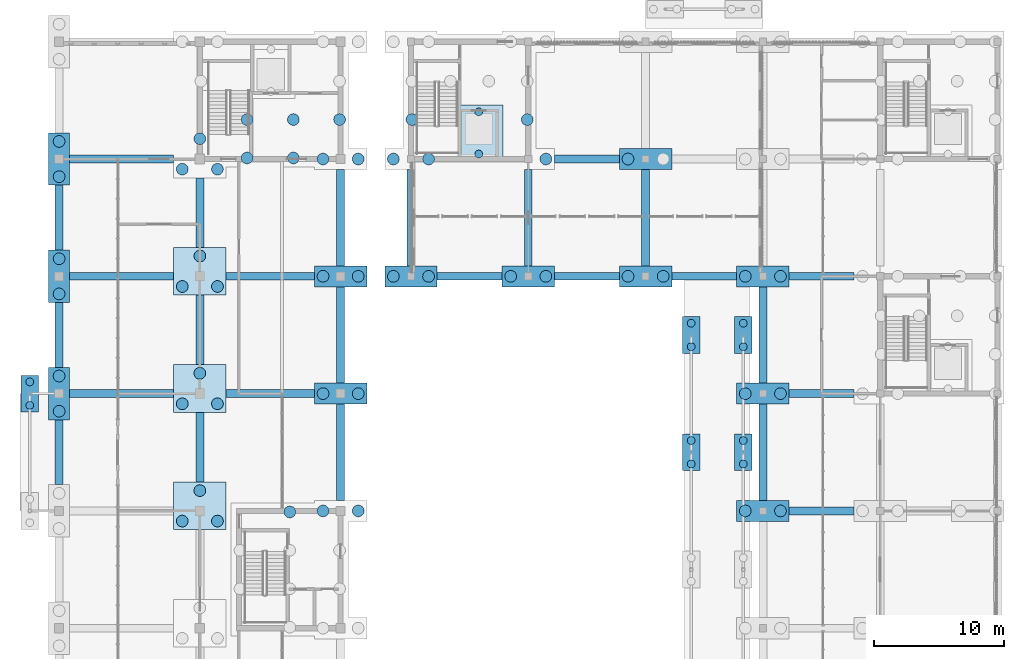
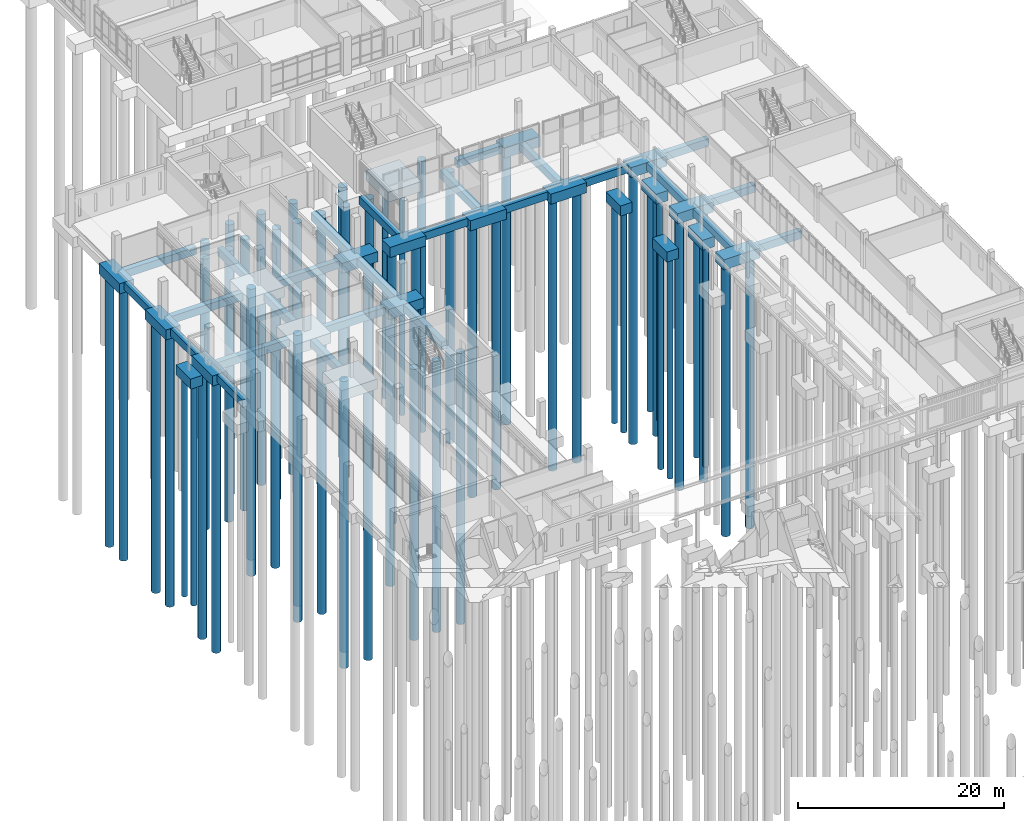
# One storey, part 5 of 106: 62 piles, 47 footings.
"""IFC4 building model written with IfcOpenShell, lengths in metres."""

from ifc_helpers import new_model, si_unit, direction, frame, origin, origin_2d, place, context, subcontext, project, spatial, polyline, circle, outline, extrude, material, material_profile, profile_set, type_object, element, save


model = new_model("IFC4")

# Units and contexts
model_context = context("Model", 3, precision=1e-05, world=origin(), true_north=direction((0.0, 1.0)))
body_context = subcontext(model_context, "Body", "Model", "MODEL_VIEW")
ifc_project = project(units=[si_unit("LENGTHUNIT", "METRE"), si_unit("AREAUNIT", "SQUARE_METRE"), si_unit("VOLUMEUNIT", "CUBIC_METRE"), si_unit("PLANEANGLEUNIT", "RADIAN"), si_unit("MASSUNIT", "GRAM", prefix="KILO")], contexts=[model_context])

# Site, building, storey
site_placement = place(None, origin())
site = spatial("IfcSite", under=ifc_project, at=site_placement, CompositionType="ELEMENT")
building_placement = place(site_placement, origin())
building = spatial("IfcBuilding", under=site, at=building_placement, Name="Merrow Basin Faculty of Sciences", CompositionType="ELEMENT")
storey_placement = place(building_placement, origin())
storey = spatial("IfcBuildingStorey", under=building, at=storey_placement, Name="L00", CompositionType="ELEMENT", Elevation=0.0)

# Piles
ifc_material_1 = material(Name="Concrete C40/50", Category="concrete")
ifc_material_profile_1 = material_profile(ifc_material_1, circle(Radius=0.300048828125, at=origin_2d()))
ifc_profile_set_1 = profile_set([ifc_material_profile_1], Name="Concrete C40/50")
pile_type_1 = type_object("IfcPileType", Name="Bored pile 600 Concrete C40/50", PredefinedType="BORED", material=ifc_profile_set_1)
for number, where, z_axis, x_axis, name in (
    (1, (-2.25, 105.10009765625, -1.39990234375), (0.0, 0.0, -1.0), (1.0, 0.0, 0.0), "BP 005"),
    (2, (-2.25, 106.89990234375, -1.39990234375), (0.0, 0.0, -1.0), (1.0, 0.0, 0.0), "BP 006"),
    (3, (48.5, 100.60009765625, -1.39990234375), (0.0, 0.0, -1.0), (1.0, 0.0, 0.0), "BP 371"),
    (4, (48.5, 102.39990234375, -1.39990234375), (0.0, 0.0, -1.0), (1.0, 0.0, 0.0), "BP 372"),
    (5, (48.5, 109.60009765625, -1.39990234375), (0.0, 0.0, -1.0), (1.0, 0.0, 0.0), "BP 373"),
    (6, (48.5, 111.39990234375, -1.39990234375), (0.0, 0.0, -1.0), (1.0, 0.0, 0.0), "BP 374"),
    (7, (52.5, 100.60009765625, -1.39990234375), (0.0, 0.0, -1.0), (1.0, 0.0, 0.0), "BP 395"),
    (8, (52.5, 102.39990234375, -1.39990234375), (0.0, 0.0, -1.0), (1.0, 0.0, 0.0), "BP 396"),
    (9, (52.5, 109.60009765625, -1.39990234375), (0.0, 0.0, -1.0), (1.0, 0.0, 0.0), "BP 397"),
    (10, (52.5, 111.39990234375, -1.39990234375), (0.0, 0.0, -1.0), (1.0, 0.0, 0.0), "BP 398"),
    (11, (32.199951171875, 124.3798828125, -2.60009765625), (0.0, 0.0, -1.0), (1.0, 0.0, 0.0), "BP pit 524"),
    (12, (32.199951171875, 127.6201171875, -2.60009765625), (0.0, 0.0, -1.0), (1.0, 0.0, 0.0), "BP pit 525"),
):
    element("IfcPile", number, at=place(storey_placement, frame(where, z_axis=z_axis, x_axis=x_axis)), inside=storey, type_object=pile_type_1, Name=name, PredefinedType="BORED", context=body_context, shape_type="SweptSolid", body=[
        extrude(circle(Radius=0.300048828125, at=origin_2d()), origin(), (0.0, 0.0, 1.0), 26.10009765625),
    ])
ifc_material_2 = material(Name="Concrete C40/50", Category="concrete")
ifc_material_profile_2 = material_profile(ifc_material_2, circle(Radius=0.449951171875, at=origin_2d()))
ifc_profile_set_2 = profile_set([ifc_material_profile_2], Name="Concrete C40/50")
pile_type_2 = type_object("IfcPileType", Name="Bored pile 900 Concrete C40/50", PredefinedType="BORED", material=ifc_profile_set_2)
for number, where, z_axis, x_axis, name in (
    (13, (0.0, 104.64990234375, -1.39990234375), (0.0, 0.0, -1.0), (1.0, 0.0, 0.0), "BP 033"),
    (14, (0.0, 107.35009765625, -1.39990234375), (0.0, 0.0, -1.0), (1.0, 0.0, 0.0), "BP 034"),
    (15, (0.0, 113.64990234375, -1.39990234375), (0.0, 0.0, -1.0), (1.0, 0.0, 0.0), "BP 035"),
    (16, (0.0, 116.35009765625, -1.39990234375), (0.0, 0.0, -1.0), (1.0, 0.0, 0.0), "BP 036"),
    (17, (0.0, 122.64990234375, -1.39990234375), (0.0, 0.0, -1.0), (1.0, 0.0, 0.0), "BP 037"),
    (18, (0.0, 125.35009765625, -1.39990234375), (0.0, 0.0, -1.0), (1.0, 0.0, 0.0), "BP 038"),
    (19, (9.449951171875, 96.220947265625, -1.39990234375), (0.0, 0.0, -1.0), (1.0, 0.0, 0.0), "BP 088"),
    (20, (9.449951171875, 105.220947265625, -1.39990234375), (0.0, 0.0, -1.0), (1.0, 0.0, 0.0), "BP 089"),
    (21, (9.449951171875, 114.220947265625, -1.39990234375), (0.0, 0.0, -1.0), (1.0, 0.0, 0.0), "BP 090"),
    (22, (9.449951171875, 123.220947265625, -1.39990234375), (0.0, 0.0, -1.0), (1.0, 0.0, 0.0), "BP 091"),
    (23, (10.800048828125, 98.55908203125, -1.39990234375), (0.0, 0.0, -1.0), (1.0, 0.0, 0.0), "BP 105"),
    (24, (10.800048828125, 107.55908203125, -1.39990234375), (0.0, 0.0, -1.0), (1.0, 0.0, 0.0), "BP 106"),
    (25, (10.800048828125, 116.55908203125, -1.39990234375), (0.0, 0.0, -1.0), (1.0, 0.0, 0.0), "BP 107"),
    (26, (10.800048828125, 125.55908203125, -1.39990234375), (0.0, 0.0, -1.0), (1.0, 0.0, 0.0), "BP 108"),
    (27, (12.14990234375, 96.220947265625, -1.39990234375), (0.0, 0.0, -1.0), (1.0, 0.0, 0.0), "BP 114"),
    (28, (12.14990234375, 105.220947265625, -1.39990234375), (0.0, 0.0, -1.0), (1.0, 0.0, 0.0), "BP 115"),
    (29, (12.14990234375, 114.220947265625, -1.39990234375), (0.0, 0.0, -1.0), (1.0, 0.0, 0.0), "BP 116"),
    (30, (12.14990234375, 123.220947265625, -1.39990234375), (0.0, 0.0, -1.0), (1.0, 0.0, 0.0), "BP 117"),
    (31, (14.427001953125, 124.080078125, -1.39990234375), (0.0, 0.0, -1.0), (1.0, 0.0, 0.0), "BP 128"),
    (32, (14.427001953125, 127.027099609375, -1.39990234375), (0.0, 0.0, -1.0), (1.0, 0.0, 0.0), "BP 129"),
    (33, (17.699951171875, 96.919921875, -1.39990234375), (0.0, 0.0, -1.0), (1.0, 0.0, 0.0), "BP 154"),
    (34, (17.972900390625, 124.080078125, -1.39990234375), (0.0, 0.0, -1.0), (1.0, 0.0, 0.0), "BP 155"),
    (35, (17.972900390625, 127.027099609375, -1.39990234375), (0.0, 0.0, -1.0), (1.0, 0.0, 0.0), "BP 156"),
    (36, (20.25, 97.0, -1.39990234375), (0.0, 0.0, -1.0), (1.0, 0.0, 0.0), "BP 178"),
    (37, (20.25, 106.0, -1.39990234375), (0.0, 0.0, -1.0), (1.0, 0.0, 0.0), "BP 179"),
    (38, (20.25, 115.0, -1.39990234375), (0.0, 0.0, -1.0), (1.0, 0.0, 0.0), "BP 180"),
    (39, (20.25, 124.0, -1.39990234375), (0.0, 0.0, -1.0), (1.0, 0.0, 0.0), "BP 181"),
    (40, (21.52001953125, 127.027099609375, -1.39990234375), (0.0, 0.0, -1.0), (1.0, 0.0, 0.0), "BP 189"),
    (41, (22.949951171875, 97.0, -1.39990234375), (0.0, 0.0, -1.0), (1.0, 0.0, 0.0), "BP 203"),
    (42, (22.949951171875, 106.0, -1.39990234375), (0.0, 0.0, -1.0), (1.0, 0.0, 0.0), "BP 204"),
    (43, (22.949951171875, 115.0, -1.39990234375), (0.0, 0.0, -1.0), (1.0, 0.0, 0.0), "BP 205"),
    (44, (22.949951171875, 124.0, -1.39990234375), (0.0, 0.0, -1.0), (1.0, 0.0, 0.0), "BP 206"),
    (45, (25.64990234375, 115.0, -1.39990234375), (0.0, 0.0, -1.0), (1.0, 0.0, 0.0), "BP 219"),
    (46, (25.64990234375, 124.0, -1.39990234375), (0.0, 0.0, -1.0), (1.0, 0.0, 0.0), "BP 220"),
    (47, (27.080078125, 127.027099609375, -1.39990234375), (0.0, 0.0, -1.0), (1.0, 0.0, 0.0), "BP 231"),
    (48, (28.35009765625, 115.0, -1.39990234375), (0.0, 0.0, -1.0), (1.0, 0.0, 0.0), "BP 242"),
    (49, (28.35009765625, 124.0, -1.39990234375), (0.0, 0.0, -1.0), (1.0, 0.0, 0.0), "BP 243"),
    (50, (34.64990234375, 115.0, -1.39990234375), (0.0, 0.0, -1.0), (1.0, 0.0, 0.0), "BP 276"),
    (51, (35.919921875, 127.027099609375, -1.39990234375), (0.0, 0.0, -1.0), (1.0, 0.0, 0.0), "BP 298"),
    (52, (37.35009765625, 115.0, -1.39990234375), (0.0, 0.0, -1.0), (1.0, 0.0, 0.0), "BP 302"),
    (53, (37.35009765625, 124.0, -1.39990234375), (0.0, 0.0, -1.0), (1.0, 0.0, 0.0), "BP 303"),
    (54, (43.64990234375, 115.0, -1.39990234375), (0.0, 0.0, -1.0), (1.0, 0.0, 0.0), "BP 338"),
    (55, (43.64990234375, 124.0, -1.39990234375), (0.0, 0.0, -1.0), (1.0, 0.0, 0.0), "BP 339"),
    (56, (46.35009765625, 115.0, -1.39990234375), (0.0, 0.0, -1.0), (1.0, 0.0, 0.0), "BP 355"),
    (57, (52.64990234375, 97.0, -1.39990234375), (0.0, 0.0, -1.0), (1.0, 0.0, 0.0), "BP 403"),
    (58, (52.64990234375, 106.0, -1.39990234375), (0.0, 0.0, -1.0), (1.0, 0.0, 0.0), "BP 404"),
    (59, (52.64990234375, 115.0, -1.39990234375), (0.0, 0.0, -1.0), (1.0, 0.0, 0.0), "BP 405"),
    (60, (55.35009765625, 97.0, -1.39990234375), (0.0, 0.0, -1.0), (1.0, 0.0, 0.0), "BP 427"),
    (61, (55.35009765625, 106.0, -1.39990234375), (0.0, 0.0, -1.0), (1.0, 0.0, 0.0), "BP 428"),
    (62, (55.35009765625, 115.0, -1.39990234375), (0.0, 0.0, -1.0), (1.0, 0.0, 0.0), "BP 429"),
):
    element("IfcPile", number, at=place(storey_placement, frame(where, z_axis=z_axis, x_axis=x_axis)), inside=storey, type_object=pile_type_2, Name=name, PredefinedType="BORED", context=body_context, shape_type="SweptSolid", body=[
        extrude(circle(Radius=0.449951171875, at=origin_2d()), origin(), (0.0, 0.0, 1.0), 32.10009765625),
    ])

# Footings
ifc_material_3 = material(Name="Concrete C40/50", Category="concrete")
footing_type_1 = type_object("IfcFootingType", Name="Ground beam 600x900 Concrete C40/50", PredefinedType="FOOTING_BEAM", material=ifc_material_3)
footing_1_placement = place(storey_placement, frame((0.0, 0.0, -1.199951171875)))
element("IfcFooting", 63, at=footing_1_placement, inside=storey, type_object=footing_type_1, Name="GB 007", PredefinedType="FOOTING_BEAM", context=body_context, shape_type="SweptSolid", body=[
    extrude(outline(polyline([(0.81005859375, 105.699951171875), (8.7900390625, 105.699951171875), (8.7900390625, 106.300048828125), (0.81005859375, 106.300048828125), (0.81005859375, 105.699951171875)])), origin(), (0.0, 0.0, 1.0), 0.89990234375),
])
footing_2_placement = place(storey_placement, frame((0.0, 0.0, -1.199951171875)))
element("IfcFooting", 64, at=footing_2_placement, inside=storey, type_object=footing_type_1, Name="GB 008", PredefinedType="FOOTING_BEAM", context=body_context, shape_type="SweptSolid", body=[
    extrude(outline(polyline([(12.81005859375, 105.699951171875), (19.590087890625, 105.699951171875), (19.590087890625, 106.300048828125), (12.81005859375, 106.300048828125), (12.81005859375, 105.699951171875)])), origin(), (0.0, 0.0, 1.0), 0.89990234375),
])
footing_3_placement = place(storey_placement, frame((0.0, 0.0, -1.199951171875)))
element("IfcFooting", 65, at=footing_3_placement, inside=storey, type_object=footing_type_1, Name="GB 009", PredefinedType="FOOTING_BEAM", context=body_context, shape_type="SweptSolid", body=[
    extrude(outline(polyline([(0.81005859375, 114.699951171875), (8.7900390625, 114.699951171875), (8.7900390625, 115.300048828125), (0.81005859375, 115.300048828125), (0.81005859375, 114.699951171875)])), origin(), (0.0, 0.0, 1.0), 0.89990234375),
])
footing_4_placement = place(storey_placement, frame((0.0, 0.0, -1.199951171875)))
element("IfcFooting", 66, at=footing_4_placement, inside=storey, type_object=footing_type_1, Name="GB 010", PredefinedType="FOOTING_BEAM", context=body_context, shape_type="SweptSolid", body=[
    extrude(outline(polyline([(12.81005859375, 114.699951171875), (19.590087890625, 114.699951171875), (19.590087890625, 115.300048828125), (12.81005859375, 115.300048828125), (12.81005859375, 114.699951171875)])), origin(), (0.0, 0.0, 1.0), 0.89990234375),
])
footing_5_placement = place(storey_placement, frame((0.0, 0.0, -1.199951171875)))
element("IfcFooting", 67, at=footing_5_placement, inside=storey, type_object=footing_type_1, Name="GB 011", PredefinedType="FOOTING_BEAM", context=body_context, shape_type="SweptSolid", body=[
    extrude(outline(polyline([(0.81005859375, 123.699951171875), (8.7900390625, 123.699951171875), (8.7900390625, 124.300048828125), (0.81005859375, 124.300048828125), (0.81005859375, 123.699951171875)])), origin(), (0.0, 0.0, 1.0), 0.89990234375),
])
footing_6_placement = place(storey_placement, frame((0.0, 0.0, -1.199951171875)))
element("IfcFooting", 68, at=footing_6_placement, inside=storey, type_object=footing_type_1, Name="GB 016", PredefinedType="FOOTING_BEAM", context=body_context, shape_type="SweptSolid", body=[
    extrude(outline(polyline([(-0.300048828125, 99.010009765625), (0.300048828125, 99.010009765625), (0.300048828125, 103.989990234375), (-0.300048828125, 103.989990234375), (-0.300048828125, 99.010009765625)])), origin(), (0.0, 0.0, 1.0), 0.89990234375),
])
footing_7_placement = place(storey_placement, frame((0.0, 0.0, -1.199951171875)))
element("IfcFooting", 69, at=footing_7_placement, inside=storey, type_object=footing_type_1, Name="GB 017", PredefinedType="FOOTING_BEAM", context=body_context, shape_type="SweptSolid", body=[
    extrude(outline(polyline([(-0.300048828125, 108.010009765625), (0.300048828125, 108.010009765625), (0.300048828125, 112.989990234375), (-0.300048828125, 112.989990234375), (-0.300048828125, 108.010009765625)])), origin(), (0.0, 0.0, 1.0), 0.89990234375),
])
footing_8_placement = place(storey_placement, frame((0.0, 0.0, -1.199951171875)))
element("IfcFooting", 70, at=footing_8_placement, inside=storey, type_object=footing_type_1, Name="GB 018", PredefinedType="FOOTING_BEAM", context=body_context, shape_type="SweptSolid", body=[
    extrude(outline(polyline([(-0.300048828125, 117.010009765625), (0.300048828125, 117.010009765625), (0.300048828125, 121.989990234375), (-0.300048828125, 121.989990234375), (-0.300048828125, 117.010009765625)])), origin(), (0.0, 0.0, 1.0), 0.89990234375),
])
footing_9_placement = place(storey_placement, frame((0.0, 0.0, -1.199951171875)))
element("IfcFooting", 71, at=footing_9_placement, inside=storey, type_object=footing_type_1, Name="GB 023", PredefinedType="FOOTING_BEAM", context=body_context, shape_type="SweptSolid", body=[
    extrude(outline(polyline([(10.5, 99.218994140625), (11.10009765625, 99.218994140625), (11.10009765625, 104.56103515625), (10.5, 104.56103515625), (10.5, 99.218994140625)])), origin(), (0.0, 0.0, 1.0), 0.89990234375),
])
footing_10_placement = place(storey_placement, frame((0.0, 0.0, -1.199951171875)))
element("IfcFooting", 72, at=footing_10_placement, inside=storey, type_object=footing_type_1, Name="GB 024", PredefinedType="FOOTING_BEAM", context=body_context, shape_type="SweptSolid", body=[
    extrude(outline(polyline([(10.5, 108.218994140625), (11.10009765625, 108.218994140625), (11.10009765625, 113.56103515625), (10.5, 113.56103515625), (10.5, 108.218994140625)])), origin(), (0.0, 0.0, 1.0), 0.89990234375),
])
footing_11_placement = place(storey_placement, frame((0.0, 0.0, -1.199951171875)))
element("IfcFooting", 73, at=footing_11_placement, inside=storey, type_object=footing_type_1, Name="GB 025", PredefinedType="FOOTING_BEAM", context=body_context, shape_type="SweptSolid", body=[
    extrude(outline(polyline([(10.5, 117.218994140625), (11.10009765625, 117.218994140625), (11.10009765625, 122.56103515625), (10.5, 122.56103515625), (10.5, 117.218994140625)])), origin(), (0.0, 0.0, 1.0), 0.89990234375),
])
footing_12_placement = place(storey_placement, frame((0.0, 0.0, -1.199951171875)))
element("IfcFooting", 74, at=footing_12_placement, inside=storey, type_object=footing_type_1, Name="GB 029", PredefinedType="FOOTING_BEAM", context=body_context, shape_type="SweptSolid", body=[
    extrude(outline(polyline([(21.300048828125, 97.81005859375), (21.89990234375, 97.81005859375), (21.89990234375, 105.18994140625), (21.300048828125, 105.18994140625), (21.300048828125, 97.81005859375)])), origin(), (0.0, 0.0, 1.0), 0.89990234375),
])
footing_13_placement = place(storey_placement, frame((0.0, 0.0, -1.199951171875)))
element("IfcFooting", 75, at=footing_13_placement, inside=storey, type_object=footing_type_1, Name="GB 030", PredefinedType="FOOTING_BEAM", context=body_context, shape_type="SweptSolid", body=[
    extrude(outline(polyline([(21.300048828125, 106.81005859375), (21.89990234375, 106.81005859375), (21.89990234375, 114.18994140625), (21.300048828125, 114.18994140625), (21.300048828125, 106.81005859375)])), origin(), (0.0, 0.0, 1.0), 0.89990234375),
])
footing_14_placement = place(storey_placement, frame((0.0, 0.0, -1.199951171875)))
element("IfcFooting", 76, at=footing_14_placement, inside=storey, type_object=footing_type_1, Name="GB 031", PredefinedType="FOOTING_BEAM", context=body_context, shape_type="SweptSolid", body=[
    extrude(outline(polyline([(21.300048828125, 115.81005859375), (21.89990234375, 115.81005859375), (21.89990234375, 123.18994140625), (21.300048828125, 123.18994140625), (21.300048828125, 115.81005859375)])), origin(), (0.0, 0.0, 1.0), 0.89990234375),
])
footing_15_placement = place(storey_placement, frame((0.0, 0.0, -1.199951171875)))
element("IfcFooting", 77, at=footing_15_placement, inside=storey, type_object=footing_type_1, Name="GB 038", PredefinedType="FOOTING_BEAM", context=body_context, shape_type="SweptSolid", body=[
    extrude(outline(polyline([(56.010009765625, 96.699951171875), (60.989990234375, 96.699951171875), (60.989990234375, 97.300048828125), (56.010009765625, 97.300048828125), (56.010009765625, 96.699951171875)])), origin(), (0.0, 0.0, 1.0), 0.89990234375),
])
footing_16_placement = place(storey_placement, frame((0.0, 0.0, -1.199951171875)))
element("IfcFooting", 78, at=footing_16_placement, inside=storey, type_object=footing_type_1, Name="GB 040", PredefinedType="FOOTING_BEAM", context=body_context, shape_type="SweptSolid", body=[
    extrude(outline(polyline([(56.010009765625, 105.699951171875), (60.989990234375, 105.699951171875), (60.989990234375, 106.300048828125), (56.010009765625, 106.300048828125), (56.010009765625, 105.699951171875)])), origin(), (0.0, 0.0, 1.0), 0.89990234375),
])
footing_17_placement = place(storey_placement, frame((0.0, 0.0, -1.199951171875)))
element("IfcFooting", 79, at=footing_17_placement, inside=storey, type_object=footing_type_1, Name="GB 041", PredefinedType="FOOTING_BEAM", context=body_context, shape_type="SweptSolid", body=[
    extrude(outline(polyline([(29.010009765625, 114.699951171875), (33.989990234375, 114.699951171875), (33.989990234375, 115.300048828125), (29.010009765625, 115.300048828125), (29.010009765625, 114.699951171875)])), origin(), (0.0, 0.0, 1.0), 0.89990234375),
])
footing_18_placement = place(storey_placement, frame((0.0, 0.0, -1.199951171875)))
element("IfcFooting", 80, at=footing_18_placement, inside=storey, type_object=footing_type_1, Name="GB 042", PredefinedType="FOOTING_BEAM", context=body_context, shape_type="SweptSolid", body=[
    extrude(outline(polyline([(38.010009765625, 114.699951171875), (42.989990234375, 114.699951171875), (42.989990234375, 115.300048828125), (38.010009765625, 115.300048828125), (38.010009765625, 114.699951171875)])), origin(), (0.0, 0.0, 1.0), 0.89990234375),
])
footing_19_placement = place(storey_placement, frame((0.0, 0.0, -1.199951171875)))
element("IfcFooting", 81, at=footing_19_placement, inside=storey, type_object=footing_type_1, Name="GB 043", PredefinedType="FOOTING_BEAM", context=body_context, shape_type="SweptSolid", body=[
    extrude(outline(polyline([(47.010009765625, 114.699951171875), (51.989990234375, 114.699951171875), (51.989990234375, 115.300048828125), (47.010009765625, 115.300048828125), (47.010009765625, 114.699951171875)])), origin(), (0.0, 0.0, 1.0), 0.89990234375),
])
footing_20_placement = place(storey_placement, frame((0.0, 0.0, -1.199951171875)))
element("IfcFooting", 82, at=footing_20_placement, inside=storey, type_object=footing_type_1, Name="GB 044", PredefinedType="FOOTING_BEAM", context=body_context, shape_type="SweptSolid", body=[
    extrude(outline(polyline([(56.010009765625, 114.699951171875), (60.989990234375, 114.699951171875), (60.989990234375, 115.300048828125), (56.010009765625, 115.300048828125), (56.010009765625, 114.699951171875)])), origin(), (0.0, 0.0, 1.0), 0.89990234375),
])
footing_21_placement = place(storey_placement, frame((0.0, 0.0, -1.199951171875)))
element("IfcFooting", 83, at=footing_21_placement, inside=storey, type_object=footing_type_1, Name="GB 045", PredefinedType="FOOTING_BEAM", context=body_context, shape_type="SweptSolid", body=[
    extrude(outline(polyline([(38.010009765625, 123.699951171875), (42.989990234375, 123.699951171875), (42.989990234375, 124.300048828125), (38.010009765625, 124.300048828125), (38.010009765625, 123.699951171875)])), origin(), (0.0, 0.0, 1.0), 0.89990234375),
])
footing_22_placement = place(storey_placement, frame((0.0, 0.0, -1.199951171875)))
element("IfcFooting", 84, at=footing_22_placement, inside=storey, type_object=footing_type_1, Name="GB 051", PredefinedType="FOOTING_BEAM", context=body_context, shape_type="SweptSolid", body=[
    extrude(outline(polyline([(26.699951171875, 115.81005859375), (27.300048828125, 115.81005859375), (27.300048828125, 123.18994140625), (26.699951171875, 123.18994140625), (26.699951171875, 115.81005859375)])), origin(), (0.0, 0.0, 1.0), 0.89990234375),
])
footing_23_placement = place(storey_placement, frame((0.0, 0.0, -1.199951171875)))
element("IfcFooting", 85, at=footing_23_placement, inside=storey, type_object=footing_type_1, Name="GB 052", PredefinedType="FOOTING_BEAM", context=body_context, shape_type="SweptSolid", body=[
    extrude(outline(polyline([(35.699951171875, 115.81005859375), (36.300048828125, 115.81005859375), (36.300048828125, 123.18994140625), (35.699951171875, 123.18994140625), (35.699951171875, 115.81005859375)])), origin(), (0.0, 0.0, 1.0), 0.89990234375),
])
footing_24_placement = place(storey_placement, frame((0.0, 0.0, -1.199951171875)))
element("IfcFooting", 86, at=footing_24_placement, inside=storey, type_object=footing_type_1, Name="GB 053", PredefinedType="FOOTING_BEAM", context=body_context, shape_type="SweptSolid", body=[
    extrude(outline(polyline([(44.699951171875, 115.81005859375), (45.300048828125, 115.81005859375), (45.300048828125, 123.18994140625), (44.699951171875, 123.18994140625), (44.699951171875, 115.81005859375)])), origin(), (0.0, 0.0, 1.0), 0.89990234375),
])
footing_25_placement = place(storey_placement, frame((0.0, 0.0, -1.199951171875)))
element("IfcFooting", 87, at=footing_25_placement, inside=storey, type_object=footing_type_1, Name="GB 059", PredefinedType="FOOTING_BEAM", context=body_context, shape_type="SweptSolid", body=[
    extrude(outline(polyline([(53.699951171875, 97.81005859375), (54.300048828125, 97.81005859375), (54.300048828125, 105.18994140625), (53.699951171875, 105.18994140625), (53.699951171875, 97.81005859375)])), origin(), (0.0, 0.0, 1.0), 0.89990234375),
])
footing_26_placement = place(storey_placement, frame((0.0, 0.0, -1.199951171875)))
element("IfcFooting", 88, at=footing_26_placement, inside=storey, type_object=footing_type_1, Name="GB 060", PredefinedType="FOOTING_BEAM", context=body_context, shape_type="SweptSolid", body=[
    extrude(outline(polyline([(53.699951171875, 106.81005859375), (54.300048828125, 106.81005859375), (54.300048828125, 114.18994140625), (53.699951171875, 114.18994140625), (53.699951171875, 106.81005859375)])), origin(), (0.0, 0.0, 1.0), 0.89990234375),
])
ifc_material_4 = material(Name="Concrete C40/50", Category="concrete")
footing_type_2 = type_object("IfcFootingType", Name="Lift pit raft 3700x4300 Concrete C40/50", PredefinedType="PILE_CAP", material=ifc_material_4)
footing_27_placement = place(storey_placement, frame((0.0, 0.0, -2.699951171875)))
element("IfcFooting", 89, at=footing_27_placement, inside=storey, type_object=footing_type_2, Name="Lift pit raft 5", PredefinedType="PILE_CAP", context=body_context, shape_type="SweptSolid", body=[
    extrude(outline(polyline([(34.050048828125, 123.85009765625), (30.35009765625, 123.85009765625), (30.35009765625, 128.14990234375), (34.050048828125, 128.14990234375), (34.050048828125, 123.85009765625)])), origin(), (0.0, 0.0, 1.0), 1.199951171875),
])
ifc_material_5 = material(Name="Concrete C40/50", Category="concrete")
footing_type_3 = type_object("IfcFootingType", Name="Pile cap 2 piles 1320x2820 Concrete C40/50", PredefinedType="PILE_CAP", material=ifc_material_5)
footing_28_placement = place(storey_placement, frame((0.0, 0.0, -1.5)))
element("IfcFooting", 90, at=footing_28_placement, inside=storey, type_object=footing_type_3, Name="PC3 004", PredefinedType="PILE_CAP", context=body_context, shape_type="SweptSolid", body=[
    extrude(outline(polyline([(-2.909912109375, 107.409912109375), (-1.590087890625, 107.409912109375), (-1.590087890625, 104.590087890625), (-2.909912109375, 104.590087890625), (-2.909912109375, 107.409912109375)])), origin(), (0.0, 0.0, 1.0), 1.199951171875),
])
footing_29_placement = place(storey_placement, frame((0.0, 0.0, -1.5)))
element("IfcFooting", 91, at=footing_29_placement, inside=storey, type_object=footing_type_3, Name="PC3 086", PredefinedType="PILE_CAP", context=body_context, shape_type="SweptSolid", body=[
    extrude(outline(polyline([(47.840087890625, 102.909912109375), (49.159912109375, 102.909912109375), (49.159912109375, 100.090087890625), (47.840087890625, 100.090087890625), (47.840087890625, 102.909912109375)])), origin(), (0.0, 0.0, 1.0), 1.199951171875),
])
footing_30_placement = place(storey_placement, frame((0.0, 0.0, -1.5)))
element("IfcFooting", 92, at=footing_30_placement, inside=storey, type_object=footing_type_3, Name="PC3 087", PredefinedType="PILE_CAP", context=body_context, shape_type="SweptSolid", body=[
    extrude(outline(polyline([(47.840087890625, 111.909912109375), (49.159912109375, 111.909912109375), (49.159912109375, 109.090087890625), (47.840087890625, 109.090087890625), (47.840087890625, 111.909912109375)])), origin(), (0.0, 0.0, 1.0), 1.199951171875),
])
footing_31_placement = place(storey_placement, frame((0.0, 0.0, -1.5)))
element("IfcFooting", 93, at=footing_31_placement, inside=storey, type_object=footing_type_3, Name="PC3 097", PredefinedType="PILE_CAP", context=body_context, shape_type="SweptSolid", body=[
    extrude(outline(polyline([(51.840087890625, 102.909912109375), (53.159912109375, 102.909912109375), (53.159912109375, 100.090087890625), (51.840087890625, 100.090087890625), (51.840087890625, 102.909912109375)])), origin(), (0.0, 0.0, 1.0), 1.199951171875),
])
footing_32_placement = place(storey_placement, frame((0.0, 0.0, -1.5)))
element("IfcFooting", 94, at=footing_32_placement, inside=storey, type_object=footing_type_3, Name="PC3 098", PredefinedType="PILE_CAP", context=body_context, shape_type="SweptSolid", body=[
    extrude(outline(polyline([(51.840087890625, 111.909912109375), (53.159912109375, 111.909912109375), (53.159912109375, 109.090087890625), (51.840087890625, 109.090087890625), (51.840087890625, 111.909912109375)])), origin(), (0.0, 0.0, 1.0), 1.199951171875),
])
ifc_material_6 = material(Name="Concrete C40/50", Category="concrete")
footing_type_4 = type_object("IfcFootingType", Name="Pile cap 2 piles 1620x4020 Concrete C40/50", PredefinedType="PILE_CAP", material=ifc_material_6)
footing_33_placement = place(storey_placement, frame((0.0, 0.0, -1.5)))
element("IfcFooting", 95, at=footing_33_placement, inside=storey, type_object=footing_type_4, Name="PC4 010", PredefinedType="PILE_CAP", context=body_context, shape_type="SweptSolid", body=[
    extrude(outline(polyline([(-0.81005859375, 108.010009765625), (0.81005859375, 108.010009765625), (0.81005859375, 103.989990234375), (-0.81005859375, 103.989990234375), (-0.81005859375, 108.010009765625)])), origin(), (0.0, 0.0, 1.0), 1.199951171875),
])
footing_34_placement = place(storey_placement, frame((0.0, 0.0, -1.5)))
element("IfcFooting", 96, at=footing_34_placement, inside=storey, type_object=footing_type_4, Name="PC4 011", PredefinedType="PILE_CAP", context=body_context, shape_type="SweptSolid", body=[
    extrude(outline(polyline([(-0.81005859375, 112.989990234375), (-0.81005859375, 117.010009765625), (0.81005859375, 117.010009765625), (0.81005859375, 112.989990234375), (-0.81005859375, 112.989990234375)])), origin(), (0.0, 0.0, 1.0), 1.199951171875),
])
footing_35_placement = place(storey_placement, frame((0.0, 0.0, -1.5)))
element("IfcFooting", 97, at=footing_35_placement, inside=storey, type_object=footing_type_4, Name="PC4 012", PredefinedType="PILE_CAP", context=body_context, shape_type="SweptSolid", body=[
    extrude(outline(polyline([(-0.81005859375, 126.010009765625), (0.81005859375, 126.010009765625), (0.81005859375, 121.989990234375), (-0.81005859375, 121.989990234375), (-0.81005859375, 126.010009765625)])), origin(), (0.0, 0.0, 1.0), 1.199951171875),
])
ifc_material_7 = material(Name="Concrete C40/50", Category="concrete")
footing_type_5 = type_object("IfcFootingType", Name="Pile cap 2 piles 4020x1620 Concrete C40/50", PredefinedType="PILE_CAP", material=ifc_material_7)
footing_36_placement = place(storey_placement, frame((0.0, 0.0, -1.5)))
element("IfcFooting", 98, at=footing_36_placement, inside=storey, type_object=footing_type_5, Name="PC13 038", PredefinedType="PILE_CAP", context=body_context, shape_type="SweptSolid", body=[
    extrude(outline(polyline([(19.590087890625, 105.18994140625), (19.590087890625, 106.81005859375), (23.610107421875, 106.81005859375), (23.610107421875, 105.18994140625), (19.590087890625, 105.18994140625)])), origin(), (0.0, 0.0, 1.0), 1.199951171875),
])
footing_37_placement = place(storey_placement, frame((0.0, 0.0, -1.5)))
element("IfcFooting", 99, at=footing_37_placement, inside=storey, type_object=footing_type_5, Name="PC13 039", PredefinedType="PILE_CAP", context=body_context, shape_type="SweptSolid", body=[
    extrude(outline(polyline([(19.590087890625, 115.81005859375), (23.610107421875, 115.81005859375), (23.610107421875, 114.18994140625), (19.590087890625, 114.18994140625), (19.590087890625, 115.81005859375)])), origin(), (0.0, 0.0, 1.0), 1.199951171875),
])
footing_38_placement = place(storey_placement, frame((0.0, 0.0, -1.5)))
element("IfcFooting", 100, at=footing_38_placement, inside=storey, type_object=footing_type_5, Name="PC13 046", PredefinedType="PILE_CAP", context=body_context, shape_type="SweptSolid", body=[
    extrude(outline(polyline([(24.989990234375, 115.81005859375), (29.010009765625, 115.81005859375), (29.010009765625, 114.18994140625), (24.989990234375, 114.18994140625), (24.989990234375, 115.81005859375)])), origin(), (0.0, 0.0, 1.0), 1.199951171875),
])
footing_39_placement = place(storey_placement, frame((0.0, 0.0, -1.5)))
element("IfcFooting", 101, at=footing_39_placement, inside=storey, type_object=footing_type_5, Name="PC13 055", PredefinedType="PILE_CAP", context=body_context, shape_type="SweptSolid", body=[
    extrude(outline(polyline([(33.989990234375, 115.81005859375), (38.010009765625, 115.81005859375), (38.010009765625, 114.18994140625), (33.989990234375, 114.18994140625), (33.989990234375, 115.81005859375)])), origin(), (0.0, 0.0, 1.0), 1.199951171875),
])
footing_40_placement = place(storey_placement, frame((0.0, 0.0, -1.5)))
element("IfcFooting", 102, at=footing_40_placement, inside=storey, type_object=footing_type_5, Name="PC13 073", PredefinedType="PILE_CAP", context=body_context, shape_type="SweptSolid", body=[
    extrude(outline(polyline([(42.989990234375, 115.81005859375), (47.010009765625, 115.81005859375), (47.010009765625, 114.18994140625), (42.989990234375, 114.18994140625), (42.989990234375, 115.81005859375)])), origin(), (0.0, 0.0, 1.0), 1.199951171875),
])
footing_41_placement = place(storey_placement, frame((0.0, 0.0, -1.5)))
element("IfcFooting", 103, at=footing_41_placement, inside=storey, type_object=footing_type_5, Name="PC13 074", PredefinedType="PILE_CAP", context=body_context, shape_type="SweptSolid", body=[
    extrude(outline(polyline([(42.989990234375, 123.18994140625), (42.989990234375, 124.81005859375), (47.010009765625, 124.81005859375), (47.010009765625, 123.18994140625), (42.989990234375, 123.18994140625)])), origin(), (0.0, 0.0, 1.0), 1.199951171875),
])
footing_42_placement = place(storey_placement, frame((0.0, 0.0, -1.5)))
element("IfcFooting", 104, at=footing_42_placement, inside=storey, type_object=footing_type_5, Name="PC13 102", PredefinedType="PILE_CAP", context=body_context, shape_type="SweptSolid", body=[
    extrude(outline(polyline([(51.989990234375, 97.81005859375), (56.010009765625, 97.81005859375), (56.010009765625, 96.18994140625), (51.989990234375, 96.18994140625), (51.989990234375, 97.81005859375)])), origin(), (0.0, 0.0, 1.0), 1.199951171875),
])
footing_43_placement = place(storey_placement, frame((0.0, 0.0, -1.5)))
element("IfcFooting", 105, at=footing_43_placement, inside=storey, type_object=footing_type_5, Name="PC13 103", PredefinedType="PILE_CAP", context=body_context, shape_type="SweptSolid", body=[
    extrude(outline(polyline([(51.989990234375, 106.81005859375), (56.010009765625, 106.81005859375), (56.010009765625, 105.18994140625), (51.989990234375, 105.18994140625), (51.989990234375, 106.81005859375)])), origin(), (0.0, 0.0, 1.0), 1.199951171875),
])
footing_44_placement = place(storey_placement, frame((0.0, 0.0, -1.5)))
element("IfcFooting", 106, at=footing_44_placement, inside=storey, type_object=footing_type_5, Name="PC13 104", PredefinedType="PILE_CAP", context=body_context, shape_type="SweptSolid", body=[
    extrude(outline(polyline([(51.989990234375, 115.81005859375), (56.010009765625, 115.81005859375), (56.010009765625, 114.18994140625), (51.989990234375, 114.18994140625), (51.989990234375, 115.81005859375)])), origin(), (0.0, 0.0, 1.0), 1.199951171875),
])
ifc_material_8 = material(Name="Concrete C40/50", Category="concrete")
footing_type_6 = type_object("IfcFootingType", Name="Pile cap 3 piles 4020x3658 Concrete C40/50", PredefinedType="PILE_CAP", material=ifc_material_8)
footing_45_placement = place(storey_placement, frame((0.0, 0.0, -1.5)))
element("IfcFooting", 107, at=footing_45_placement, inside=storey, type_object=footing_type_6, Name="PC7 019", PredefinedType="PILE_CAP", context=body_context, shape_type="SweptSolid", body=[
    extrude(outline(polyline([(8.7900390625, 99.21875), (12.81005859375, 99.21875), (12.81005859375, 95.560546875), (8.7900390625, 95.560546875), (8.7900390625, 99.21875)])), origin(), (0.0, 0.0, 1.0), 1.199951171875),
])
footing_46_placement = place(storey_placement, frame((0.0, 0.0, -1.5)))
element("IfcFooting", 108, at=footing_46_placement, inside=storey, type_object=footing_type_6, Name="PC7 020", PredefinedType="PILE_CAP", context=body_context, shape_type="SweptSolid", body=[
    extrude(outline(polyline([(8.7900390625, 108.21875), (12.81005859375, 108.21875), (12.81005859375, 104.560546875), (8.7900390625, 104.560546875), (8.7900390625, 108.21875)])), origin(), (0.0, 0.0, 1.0), 1.199951171875),
])
footing_47_placement = place(storey_placement, frame((0.0, 0.0, -1.5)))
element("IfcFooting", 109, at=footing_47_placement, inside=storey, type_object=footing_type_6, Name="PC7 021", PredefinedType="PILE_CAP", context=body_context, shape_type="SweptSolid", body=[
    extrude(outline(polyline([(8.7900390625, 117.21875), (12.81005859375, 117.21875), (12.81005859375, 113.560546875), (8.7900390625, 113.560546875), (8.7900390625, 117.21875)])), origin(), (0.0, 0.0, 1.0), 1.199951171875),
])

save(model, "model.ifc")
